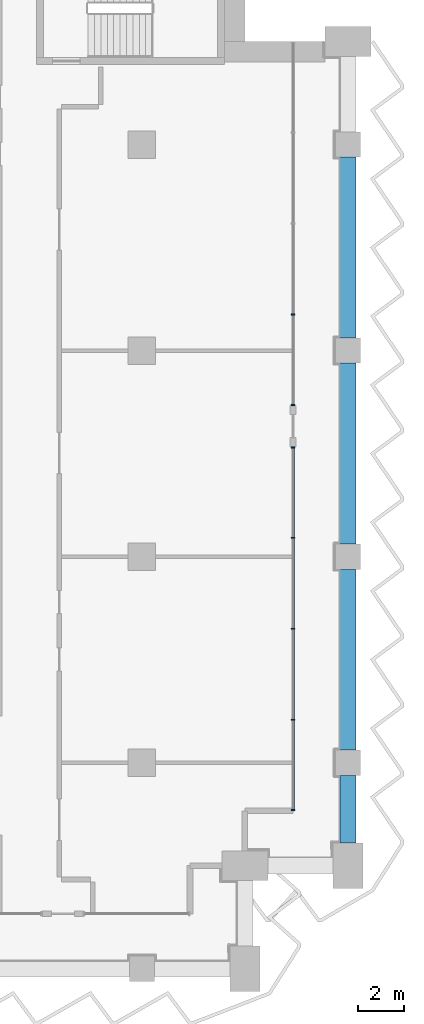
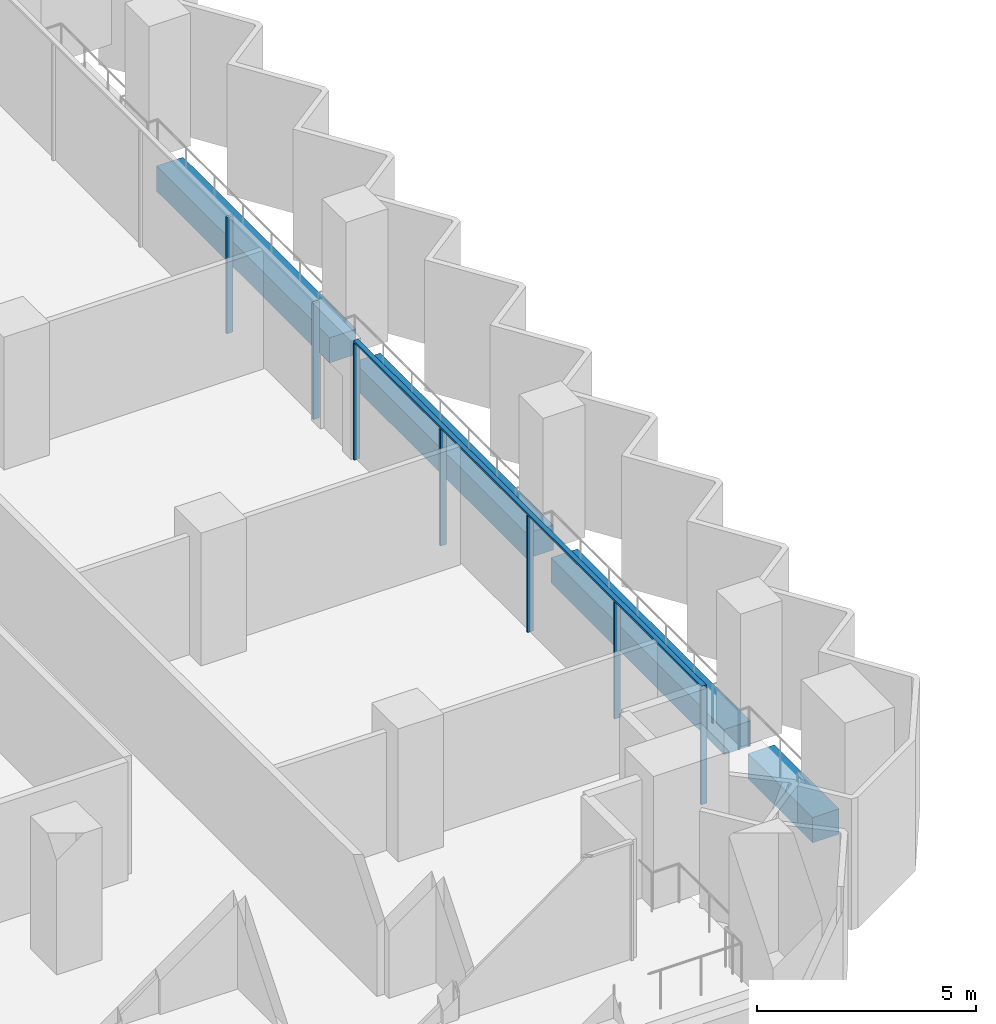
# One storey, part 6 of 23: 8 members, 4 beams, 2 elements without a shape of their own.
"""IFC4 building model written with IfcOpenShell, lengths in metres."""

import ifcopenshell
import ifcopenshell.guid

model = None  # the IFC model being written
_history = None  # IfcOwnerHistory: only IFC2X3 demands one
_inside = {}  # id of a spatial element -> (the spatial element, [elements in it])
_under = {}  # id of a project, library or spatial element -> (it, [spatial elements below it])
_declared = {}  # id of a project -> (the project, [libraries it declares])
_typed = {}  # id of a type object -> (the type object, [elements of that type])
_made_of = {}  # id of a material, layer set ... -> (it, [elements and type objects made of it])


def new_model(schema):
    """Start an empty IFC model of exactly this schema.

    Asked for "IFC4X3", IfcOpenShell would pick the latest addendum, in which some entities
    have other attributes; the version numbers below select the first issue.
    IFC2X3 requires an IfcOwnerHistory on every rooted entity: one is made here for all.
    """
    global model, _history
    if schema == "IFC4X3":
        model = ifcopenshell.file(schema_version=(4, 3, 0, 0))
    else:
        model = ifcopenshell.file(schema=schema)
    _inside.clear()
    _under.clear()
    _declared.clear()
    _typed.clear()
    _made_of.clear()
    _history = None
    if model.schema == "IFC2X3":
        org = make("IfcOrganization", Name="unknown")
        user = make(
            "IfcPersonAndOrganization",
            ThePerson=make("IfcPerson", FamilyName="unknown"),
            TheOrganization=org,
        )
        app = make(
            "IfcApplication",
            ApplicationDeveloper=org,
            Version="unknown",
            ApplicationFullName="unknown",
            ApplicationIdentifier="unknown",
        )
        _history = make(
            "IfcOwnerHistory",
            OwningUser=user,
            OwningApplication=app,
            ChangeAction="ADDED",
            CreationDate=0,
        )
    return model


def make(cls, **values):
    """One entity of the class cls with the attributes given. An attribute that is None is left unset."""
    return model.create_entity(
        cls, **{name: value for name, value in values.items() if value is not None}
    )


def rooted(cls, **values):
    """An entity with a GlobalId (a new one), such as an element, a storey or a relation."""
    return make(cls, GlobalId=ifcopenshell.guid.new(), OwnerHistory=_history, **values)


def si_unit(unit_type, name, prefix=None):
    """IfcSIUnit, for example si_unit("LENGTHUNIT", "METRE", prefix="MILLI")."""
    return make("IfcSIUnit", UnitType=unit_type, Prefix=prefix, Name=name)


def assignment(units):
    """IfcUnitAssignment: the units of a project."""
    return None if units is None else make("IfcUnitAssignment", Units=units)


def point(xyz):
    """IfcCartesianPoint."""
    return None if xyz is None else make("IfcCartesianPoint", Coordinates=xyz)


def direction(xyz):
    """IfcDirection."""
    return None if xyz is None else make("IfcDirection", DirectionRatios=xyz)


def frame(location, z_axis=None, x_axis=None):
    """IfcAxis2Placement3D, a coordinate frame: its origin and axes. An axis left out is left unset."""
    return make(
        "IfcAxis2Placement3D",
        Location=point(location),
        Axis=direction(z_axis),
        RefDirection=direction(x_axis),
    )


def frame_2d(location, x_axis=None):
    """IfcAxis2Placement2D, a coordinate frame in the plane: its origin and x axis."""
    return make(
        "IfcAxis2Placement2D", Location=point(location), RefDirection=direction(x_axis)
    )


def origin():
    """The frame at (0, 0, 0) with its axes left unset."""
    return frame((0.0, 0.0, 0.0))


def origin_2d():
    """The frame at (0, 0) in the plane with its x axis left unset."""
    return frame_2d((0.0, 0.0))


def place(relative_to, where):
    """IfcLocalPlacement: puts the frame where relative to a parent placement (None: the world)."""
    return make(
        "IfcLocalPlacement", PlacementRelTo=relative_to, RelativePlacement=where
    )


def context(
    kind, dimensions, precision=None, world=None, true_north=None, identifier=None
):
    """IfcGeometricRepresentationContext, for example the 3D "Model" context."""
    return make(
        "IfcGeometricRepresentationContext",
        ContextIdentifier=identifier,
        ContextType=kind,
        CoordinateSpaceDimension=dimensions,
        Precision=precision,
        WorldCoordinateSystem=world,
        TrueNorth=true_north,
    )


def subcontext(parent, identifier, kind, view, scale=None):
    """IfcGeometricRepresentationSubContext, for example "Body" below "Model"."""
    return make(
        "IfcGeometricRepresentationSubContext",
        ContextIdentifier=identifier,
        ContextType=kind,
        ParentContext=parent,
        TargetScale=scale,
        TargetView=view,
    )


def project(units=None, contexts=None):
    """IfcProject with its units and contexts."""
    return rooted(
        "IfcProject",
        Name="project",
        RepresentationContexts=contexts,
        UnitsInContext=assignment(units),
    )


def spatial(cls, under=None, at=None, **own):
    """A site, building, storey or space (cls), placed at a placement, below another one or the project."""
    s = rooted(cls, ObjectPlacement=at, **own)
    if under is not None:
        _under.setdefault(under.id(), (under, []))[1].append(s)
    return s


def profile(cls, at=None, kind="AREA", **sizes):
    """A parametric profile (cls). Its sizes go by their IFC names, for example OverallWidth=200.0."""
    return make(cls, ProfileType=kind, Position=at, **sizes)


def rectangle(**sizes):
    """IfcRectangleProfileDef."""
    return profile("IfcRectangleProfileDef", **sizes)


def extrude(swept, where, along, depth):
    """IfcExtrudedAreaSolid: the profile swept, set in the frame where, extruded along a direction by depth."""
    return make(
        "IfcExtrudedAreaSolid",
        SweptArea=swept,
        Position=where,
        ExtrudedDirection=direction(along),
        Depth=depth,
    )


def shape(context_of_items, identifier, shape_type, items):
    """IfcShapeRepresentation: the items that make up one representation, for example the "Body"."""
    return make(
        "IfcShapeRepresentation",
        ContextOfItems=context_of_items,
        RepresentationIdentifier=identifier,
        RepresentationType=shape_type,
        Items=items,
    )


def material(Name=None, Category=None):
    """IfcMaterial."""
    return make("IfcMaterial", Name=Name, Category=Category)


def material_profile(
    of_material, cross_section, Name=None, Category=None, Priority=None
):
    """IfcMaterialProfile: a cross section and its material."""
    return make(
        "IfcMaterialProfile",
        Name=Name,
        Material=of_material,
        Profile=cross_section,
        Priority=Priority,
        Category=Category,
    )


def profile_set(profiles, Name=None, composite=None):
    """IfcMaterialProfileSet."""
    return make(
        "IfcMaterialProfileSet",
        Name=Name,
        MaterialProfiles=profiles,
        CompositeProfile=composite,
    )


def made_of(thing, what):
    """Note that an element or type object is made of a material, layer set ...; save() writes the relation."""
    if what is not None:
        _made_of.setdefault(what.id(), (what, []))[1].append(thing)
    return thing


def type_object(cls, material=None, **own):
    """A type object (cls), such as IfcWallType, which elements share."""
    return made_of(rooted(cls, **own), material)


def element(
    cls,
    number,
    at=None,
    inside=None,
    cuts=None,
    type_object=None,
    material=None,
    context=None,
    identifier="Body",
    shape_type=None,
    held_by="IfcProductDefinitionShape",
    body=None,
    shapes=None,
    **own,
):
    """One element of the class cls, such as IfcWall. Its Tag is "e" and its number.

    at: its placement. inside: the storey or other place that contains it. cuts: it is an
    opening in that element (IfcRelVoidsElement). A single representation is given by context,
    identifier, shape_type and body (its items); several are given by shapes. held_by: the class
    of the entity that holds the representations. save() writes the other relations.
    """
    e = rooted(cls, Tag="e%d" % number, ObjectPlacement=at, **own)
    if body is not None:
        shapes = [shape(context, identifier, shape_type, body)]
    if shapes is not None:
        e.Representation = make(held_by, Representations=shapes)
    if inside is not None:
        _inside.setdefault(inside.id(), (inside, []))[1].append(e)
    if cuts is not None:
        rooted(
            "IfcRelVoidsElement", RelatingBuildingElement=cuts, RelatedOpeningElement=e
        )
    if type_object is not None:
        _typed.setdefault(type_object.id(), (type_object, []))[1].append(e)
    return made_of(e, material)


def aggregate(whole, parts):
    """IfcRelAggregates: a whole, such as a stair, and the parts it consists of."""
    return rooted("IfcRelAggregates", RelatingObject=whole, RelatedObjects=parts)


def save(model, path):
    """Write the relations noted so far, then the file.

    IfcRelAggregates (storeys below a building ...), IfcRelContainedInSpatialStructure (elements
    in a storey), IfcRelDefinesByType, IfcRelAssociatesMaterial and IfcRelDeclares: one each for
    every whole, place, type object, material and project.
    """
    for whole, parts in _under.values():
        aggregate(whole, parts)
    for where, things in _inside.values():
        rooted(
            "IfcRelContainedInSpatialStructure",
            RelatedElements=things,
            RelatingStructure=where,
        )
    for kind, things in _typed.values():
        rooted("IfcRelDefinesByType", RelatedObjects=things, RelatingType=kind)
    for what, things in _made_of.values():
        rooted("IfcRelAssociatesMaterial", RelatedObjects=things, RelatingMaterial=what)
    for by, libraries in _declared.values():
        rooted("IfcRelDeclares", RelatingContext=by, RelatedDefinitions=libraries)
    model.write(path)


model = new_model("IFC4")

# Units and contexts
model_context = context("Model", 3, precision=1e-05, world=origin(), true_north=direction((0.0, 1.0)))
body_context = subcontext(model_context, "Body", "Model", "MODEL_VIEW")
ifc_project = project(units=[si_unit("LENGTHUNIT", "METRE"), si_unit("AREAUNIT", "SQUARE_METRE"), si_unit("VOLUMEUNIT", "CUBIC_METRE"), si_unit("PLANEANGLEUNIT", "RADIAN"), si_unit("MASSUNIT", "GRAM", prefix="KILO")], contexts=[model_context])

# Site, building, storey
site_placement = place(None, origin())
site = spatial("IfcSite", under=ifc_project, at=site_placement, CompositionType="ELEMENT")
building_placement = place(site_placement, origin())
building = spatial("IfcBuilding", under=site, at=building_placement, Name="Hunhe Ridgeline Campus", CompositionType="ELEMENT")
storey_placement = place(building_placement, frame((0.0, 0.0, 167.10009765625)))
storey = spatial("IfcBuildingStorey", under=building, at=storey_placement, Name="L42", CompositionType="ELEMENT", Elevation=167.10009765625)

# Curtain wall, members
ifc_material_1 = material(Name="Aluminium 6063", Category="aluminium")
curtain_wall_type = type_object("IfcCurtainWallType", Name="Curtain wall CW-1", PredefinedType="NOTDEFINED", material=ifc_material_1)
curtain_wall_1_placement = place(storey_placement, origin())
curtain_wall_1 = element("IfcCurtainWall", 1, at=curtain_wall_1_placement, inside=storey, type_object=curtain_wall_type, Name="Curtain wall 14", PredefinedType="NOTDEFINED")
ifc_material_profile_1 = material_profile(ifc_material_1, rectangle(XDim=0.159912109375, YDim=0.06005859375, at=origin_2d()))
ifc_profile_set_1 = profile_set([ifc_material_profile_1], Name="Aluminium 6063")
member_type_1 = type_object("IfcMemberType", Name="CW-1 aluminium mullion", PredefinedType="MULLION", material=ifc_profile_set_1)
member_1_placement = place(storey_placement, frame((60.59912109375, 60.930908203125, 0.0), z_axis=(0.0, 0.0, 1.0), x_axis=(-1.0, 0.0, 0.0)))
member_1 = element("IfcMember", 2, at=member_1_placement, type_object=member_type_1, Name="CW-1 mullion 1", PredefinedType="MULLION", context=body_context, shape_type="SweptSolid", body=[
    extrude(rectangle(XDim=0.159912109375, YDim=0.06005859375, at=origin_2d()), origin(), (0.0, 0.0, 1.0), 3.239990234375),
])
member_2_placement = place(storey_placement, frame((60.59912109375, 64.8759765625, 0.0), z_axis=(0.0, 0.0, 1.0), x_axis=(-1.0, 0.0, 0.0)))
member_2 = element("IfcMember", 3, at=member_2_placement, type_object=member_type_1, Name="CW-1 mullion 2", PredefinedType="MULLION", context=body_context, shape_type="SweptSolid", body=[
    extrude(rectangle(XDim=0.159912109375, YDim=0.06005859375, at=origin_2d()), origin(), (0.0, 0.0, 1.0), 3.239990234375),
])
member_3_placement = place(storey_placement, frame((60.59912109375, 68.850830078125, 0.0), z_axis=(0.0, 0.0, 1.0), x_axis=(-1.0, 0.0, 0.0)))
member_3 = element("IfcMember", 4, at=member_3_placement, type_object=member_type_1, Name="CW-1 mullion 3", PredefinedType="MULLION", context=body_context, shape_type="SweptSolid", body=[
    extrude(rectangle(XDim=0.159912109375, YDim=0.06005859375, at=origin_2d()), origin(), (0.0, 0.0, 1.0), 3.239990234375),
])
member_4_placement = place(storey_placement, frame((60.59912109375, 72.82568359375, 0.0), z_axis=(0.0, 0.0, 1.0), x_axis=(-1.0, 0.0, 0.0)))
member_4 = element("IfcMember", 5, at=member_4_placement, type_object=member_type_1, Name="CW-1 mullion 4", PredefinedType="MULLION", context=body_context, shape_type="SweptSolid", body=[
    extrude(rectangle(XDim=0.159912109375, YDim=0.06005859375, at=origin_2d()), origin(), (0.0, 0.0, 1.0), 3.239990234375),
])
member_5_placement = place(storey_placement, frame((60.59912109375, 76.7705078125, 0.0), z_axis=(0.0, 0.0, 1.0), x_axis=(-1.0, 0.0, 0.0)))
member_5 = element("IfcMember", 6, at=member_5_placement, type_object=member_type_1, Name="CW-1 mullion 5", PredefinedType="MULLION", context=body_context, shape_type="SweptSolid", body=[
    extrude(rectangle(XDim=0.159912109375, YDim=0.06005859375, at=origin_2d()), origin(), (0.0, 0.0, 1.0), 3.239990234375),
])

curtain_wall_2_placement = place(storey_placement, origin())
curtain_wall_2 = element("IfcCurtainWall", 7, at=curtain_wall_2_placement, inside=storey, type_object=curtain_wall_type, Name="Curtain wall 15", PredefinedType="NOTDEFINED")
member_6_placement = place(storey_placement, frame((60.59912109375, 78.630615234375, 0.0), z_axis=(0.0, 0.0, 1.0), x_axis=(-1.0, 0.0, 0.0)))
member_6 = element("IfcMember", 8, at=member_6_placement, type_object=member_type_1, Name="CW-1 mullion 1", PredefinedType="MULLION", context=body_context, shape_type="SweptSolid", body=[
    extrude(rectangle(XDim=0.159912109375, YDim=0.06005859375, at=origin_2d()), origin(), (0.0, 0.0, 1.0), 3.239990234375),
])
member_7_placement = place(storey_placement, frame((60.59912109375, 82.575439453125, 0.0), z_axis=(0.0, 0.0, 1.0), x_axis=(-1.0, 0.0, 0.0)))
member_7 = element("IfcMember", 9, at=member_7_placement, type_object=member_type_1, Name="CW-1 mullion 2", PredefinedType="MULLION", context=body_context, shape_type="SweptSolid", body=[
    extrude(rectangle(XDim=0.159912109375, YDim=0.06005859375, at=origin_2d()), origin(), (0.0, 0.0, 1.0), 3.239990234375),
])
aggregate(curtain_wall_2, [member_6, member_7])

# Member
ifc_material_profile_2 = material_profile(ifc_material_1, rectangle(XDim=0.1201171875, YDim=0.06005859375, at=origin_2d()))
ifc_profile_set_2 = profile_set([ifc_material_profile_2], Name="Aluminium 6063")
member_type_2 = type_object("IfcMemberType", Name="CW-1 aluminium transom", PredefinedType="USERDEFINED", material=ifc_profile_set_2)
member_8_placement = place(storey_placement, frame((60.59912109375, 60.90087890625, 3.27001953125), z_axis=(0.0, 1.0, 0.0), x_axis=(-1.0, 0.0, 0.0)))
member_8 = element("IfcMember", 10, at=member_8_placement, type_object=member_type_2, Name="CW-1 transom 1", ObjectType="TRANSOM", PredefinedType="USERDEFINED", context=body_context, shape_type="SweptSolid", body=[
    extrude(rectangle(XDim=0.1201171875, YDim=0.06005859375, at=origin_2d()), origin(), (0.0, 0.0, 1.0), 15.899658203125),
])

aggregate(curtain_wall_1, [member_8, member_1, member_2, member_3, member_4, member_5])

# Beams
ifc_material_2 = material(Name="Concrete C60", Category="concrete")
ifc_material_profile_3 = material_profile(ifc_material_2, rectangle(XDim=0.699951171875, YDim=0.699951171875, at=origin_2d()))
ifc_profile_set_3 = profile_set([ifc_material_profile_3], Name="Concrete C60")
beam_type = type_object("IfcBeamType", Name="RC spandrel beam 700x700 Concrete C60", PredefinedType="SPANDREL", material=ifc_profile_set_3)
beam_placement = place(storey_placement, frame((63.0, 59.5, -0.60009765625), z_axis=(0.0, 1.0, 0.0), x_axis=(-1.0, 0.0, 0.0)))
element("IfcBeam", 11, at=beam_placement, inside=storey, type_object=beam_type, Name="Spandrel beam B2-16 L42", PredefinedType="SPANDREL", context=body_context, shape_type="SweptSolid", body=[
    extrude(rectangle(XDim=0.699951171875, YDim=0.699951171875, at=origin_2d()), origin(), (0.0, 0.0, 1.0), 2.949951171875),
])
for number, where, z_axis, x_axis, name in (
    (12, (63.0, 63.550048828125, -0.60009765625), (0.0, 1.0, 0.0), (-1.0, 0.0, 0.0), "Spandrel beam B2-17 L42"),
    (13, (63.0, 72.550048828125, -0.60009765625), (0.0, 1.0, 0.0), (-1.0, 0.0, 0.0), "Spandrel beam B2-18 L42"),
    (14, (63.0, 81.550048828125, -0.60009765625), (0.0, 1.0, 0.0), (-1.0, 0.0, 0.0), "Spandrel beam B2-19 L42"),
):
    element("IfcBeam", number, at=place(storey_placement, frame(where, z_axis=z_axis, x_axis=x_axis)), inside=storey, type_object=beam_type, Name=name, PredefinedType="SPANDREL", context=body_context, shape_type="SweptSolid", body=[
        extrude(rectangle(XDim=0.699951171875, YDim=0.699951171875, at=origin_2d()), origin(), (0.0, 0.0, 1.0), 7.89990234375),
    ])

save(model, "model.ifc")
